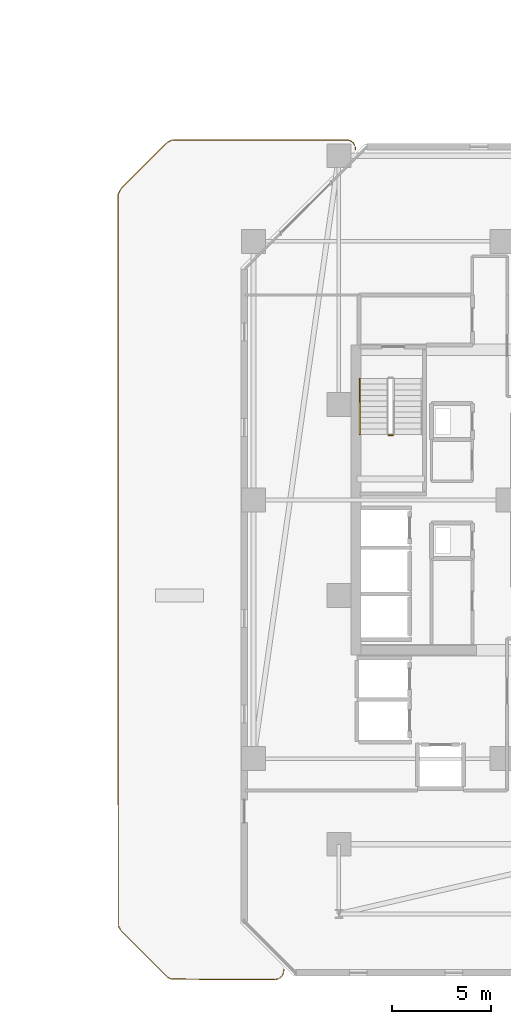
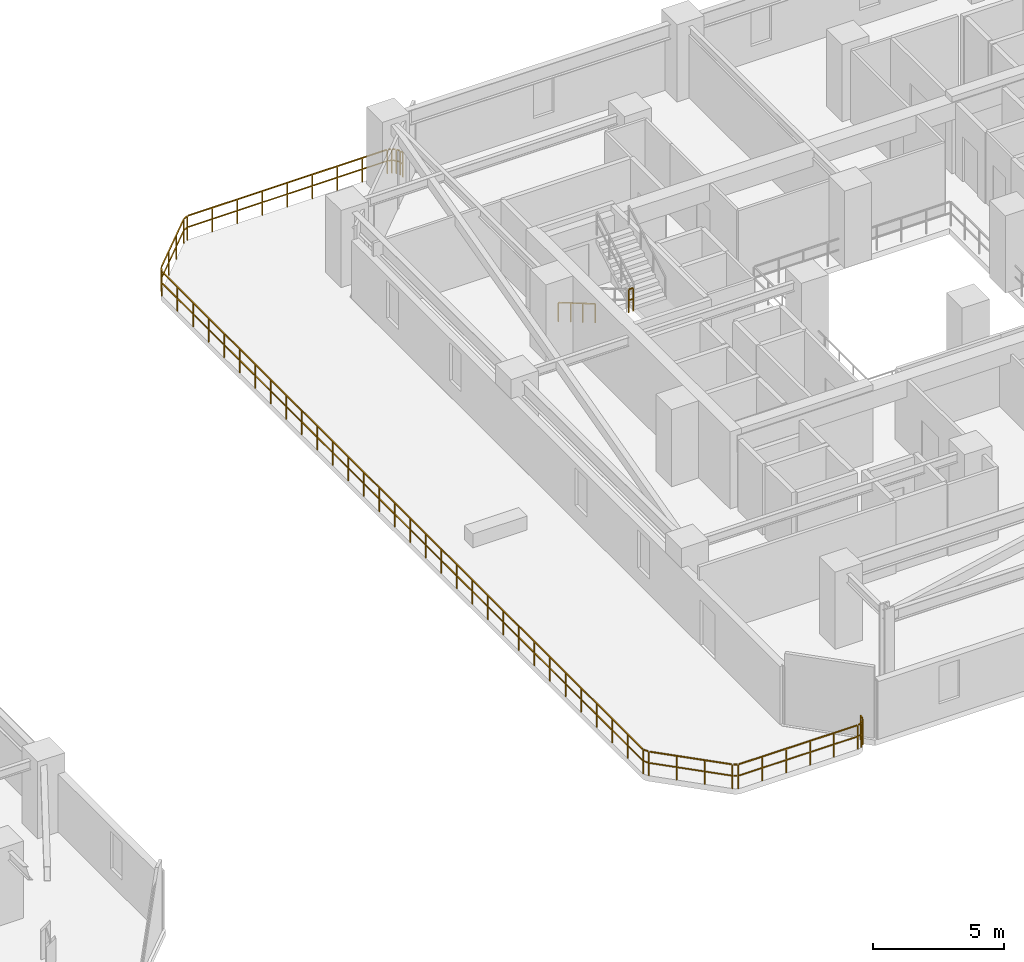
# One storey, part 30 of 31: 3 railings.
"""IFC4 building model written with IfcOpenShell, lengths in metres."""

from ifc_helpers import new_model, si_unit, direction, frame, origin, origin_2d, place, context, subcontext, project, spatial, rectangle, extrude, material, type_object, element, save


model = new_model("IFC4")

# Units and contexts
model_context = context("Model", 3, precision=1e-05, world=origin(), true_north=direction((0.0, 1.0)))
body_context = subcontext(model_context, "Body", "Model", "MODEL_VIEW")
ifc_project = project(units=[si_unit("LENGTHUNIT", "METRE"), si_unit("AREAUNIT", "SQUARE_METRE"), si_unit("VOLUMEUNIT", "CUBIC_METRE"), si_unit("PLANEANGLEUNIT", "RADIAN"), si_unit("MASSUNIT", "GRAM", prefix="KILO")], contexts=[model_context])

# Site, building, storey
site_placement = place(None, origin())
site = spatial("IfcSite", under=ifc_project, at=site_placement, CompositionType="ELEMENT")
building_placement = place(site_placement, origin())
building = spatial("IfcBuilding", under=site, at=building_placement, Name="Thornwick Lancets Civic Towers", CompositionType="ELEMENT")
storey_placement = place(building_placement, frame((0.0, 0.0, 119.699951171875)))
storey = spatial("IfcBuildingStorey", under=building, at=storey_placement, Name="L31", CompositionType="ELEMENT", Elevation=119.699951171875)

# Railings
ifc_material_1 = material(Name="Brushed stainless steel S355", Category="steel")
railing_type_1 = type_object("IfcRailingType", Name="RAIL_HANDRAIL", PredefinedType="HANDRAIL", material=ifc_material_1)
railing_1_placement = place(storey_placement, frame((76.550048828125, 33.10009765625, 0.16357421875)))
element("IfcRailing", 1, at=railing_1_placement, inside=storey, type_object=railing_type_1, Name="L31 ST-B2 stair handrail 1", PredefinedType="HANDRAIL", context=body_context, shape_type="SweptSolid", body=[
    extrude(rectangle(XDim=0.048095703125, YDim=0.048095703125, at=origin_2d()), frame((0.0, 0.0, 0.8857421875), z_axis=(0.0, -0.863360870873, 0.504586966384), x_axis=(1.0, 0.0, 0.0)), (0.0, 0.0, 1.0), 3.2431640625),
    extrude(rectangle(XDim=0.0419921875, YDim=0.0419921875, at=origin_2d()), origin(), (0.0, 0.0, 1.0), 0.855712890625),
    extrude(rectangle(XDim=0.0419921875, YDim=0.0419921875, at=origin_2d()), frame((0.0, -0.933349609375, 0.54541015625)), (0.0, 0.0, 1.0), 0.855712890625),
    extrude(rectangle(XDim=0.0419921875, YDim=0.0419921875, at=origin_2d()), frame((0.0, -1.86669921875, 1.091064453125)), (0.0, 0.0, 1.0), 0.855712890625),
    extrude(rectangle(XDim=0.0419921875, YDim=0.0419921875, at=origin_2d()), frame((0.0, -2.800048828125, 1.636474609375)), (0.0, 0.0, 1.0), 0.855712890625),
])
ifc_material_2 = material(Name="Steel S355JR", Category="steel")
railing_type_2 = type_object("IfcRailingType", Name="RAIL_STAIR_GUARD", PredefinedType="GUARDRAIL", material=ifc_material_2)
railing_2_placement = place(storey_placement, frame((78.0, 30.25, 1.800048828125)))
element("IfcRailing", 2, at=railing_2_placement, inside=storey, type_object=railing_type_2, Name="L31 ST-B2 stair guard 2", PredefinedType="GUARDRAIL", context=body_context, shape_type="SweptSolid", body=[
    extrude(rectangle(XDim=0.048095703125, YDim=0.048095703125, at=origin_2d()), frame((0.0, 0.0, 1.076171875), z_axis=(1.0, 0.0, 0.0), x_axis=(0.0, 1.0, 0.0)), (0.0, 0.0, 1.0), 0.199951171875),
    extrude(rectangle(XDim=0.0419921875, YDim=0.0419921875, at=origin_2d()), frame((0.03759765625, 0.0, 0.572021484375), z_axis=(1.0, 0.0, 0.0), x_axis=(0.0, 1.0, 0.0)), (0.0, 0.0, 1.0), 0.125),
    extrude(rectangle(XDim=0.0419921875, YDim=0.0419921875, at=origin_2d()), origin(), (0.0, 0.0, 1.0), 1.0458984375),
    extrude(rectangle(XDim=0.0419921875, YDim=0.0419921875, at=origin_2d()), frame((0.199951171875, 0.0, 0.0)), (0.0, 0.0, 1.0), 1.0458984375),
])
ifc_material_3 = material(Name="Terracotta-capped laminated glass balustrade S355", Category="masonry")
railing_type_3 = type_object("IfcRailingType", Name="RAIL_TERR_GUARD", PredefinedType="GUARDRAIL", material=ifc_material_3)
railing_3_placement = place(storey_placement, frame((72.732666015625, 3.397705078125, 0.0)))
element("IfcRailing", 3, at=railing_3_placement, inside=storey, type_object=railing_type_3, Name="L31 Tower B Sky-Garden Guard 1", PredefinedType="GUARDRAIL", context=body_context, shape_type="SweptSolid", body=[
    extrude(rectangle(XDim=0.048095703125, YDim=0.048095703125, at=origin_2d()), frame((0.0, 0.0, 1.1259765625), z_axis=(-0.094101126617, -0.99556264392, 0.0), x_axis=(0.99556264392, -0.094101126617, 0.0)), (0.0, 0.0, 1.0), 0.147705078125),
    extrude(rectangle(XDim=0.0419921875, YDim=0.0419921875, at=origin_2d()), frame((-0.00341796875, -0.037353515625, 0.597900390625), z_axis=(-0.094101126617, -0.99556264392, 0.0), x_axis=(0.99556264392, -0.094101126617, 0.0)), (0.0, 0.0, 1.0), 0.10400390625),
    extrude(rectangle(XDim=0.048095703125, YDim=0.048095703125, at=origin_2d()), frame((-0.031494140625, -0.205810546875, 1.1259765625), z_axis=(-0.469866553184, -0.882737459384, 0.0), x_axis=(0.882737459384, -0.469866553184, 0.0)), (0.0, 0.0, 1.0), 0.113037109375),
    extrude(rectangle(XDim=0.0419921875, YDim=0.0419921875, at=origin_2d()), frame((-0.034423828125, -0.21142578125, 0.597900390625), z_axis=(-0.469866553184, -0.882737459384, 0.0), x_axis=(0.882737459384, -0.469866553184, 0.0)), (0.0, 0.0, 1.0), 0.1005859375),
    extrude(rectangle(XDim=0.048095703125, YDim=0.048095703125, at=origin_2d()), frame((-0.12353515625, -0.35302734375, 1.1259765625), z_axis=(-0.773771583857, -0.63346470779, 0.0), x_axis=(0.63346470779, -0.773771583857, 0.0)), (0.0, 0.0, 1.0), 0.11328125),
    extrude(rectangle(XDim=0.0419921875, YDim=0.0419921875, at=origin_2d()), frame((-0.12841796875, -0.35693359375, 0.597900390625), z_axis=(-0.773771583857, -0.63346470779, 0.0), x_axis=(0.63346470779, -0.773771583857, 0.0)), (0.0, 0.0, 1.0), 0.100830078125),
    extrude(rectangle(XDim=0.048095703125, YDim=0.048095703125, at=origin_2d()), frame((-0.265380859375, -0.45361328125, 1.1259765625), z_axis=(-0.956825336025, -0.290663510508, 0.0), x_axis=(0.290663510508, -0.956825336025, 0.0)), (0.0, 0.0, 1.0), 0.113037109375),
    extrude(rectangle(XDim=0.0419921875, YDim=0.0419921875, at=origin_2d()), frame((-0.271240234375, -0.45556640625, 0.597900390625), z_axis=(-0.956825336025, -0.290663510508, 0.0), x_axis=(0.290663510508, -0.956825336025, 0.0)), (0.0, 0.0, 1.0), 0.1005859375),
    extrude(rectangle(XDim=0.048095703125, YDim=0.048095703125, at=origin_2d()), frame((-0.4345703125, -0.49560546875, 1.1259765625), z_axis=(-0.999994597738, 0.00328701928, 0.0), x_axis=(-0.00328701928, -0.999994597738, 0.0)), (0.0, 0.0, 1.0), 5.2109375),
    extrude(rectangle(XDim=0.0419921875, YDim=0.0419921875, at=origin_2d()), frame((-0.44091796875, -0.495361328125, 0.597900390625), z_axis=(-0.999994597738, 0.00328701928, 0.0), x_axis=(-0.00328701928, -0.999994597738, 0.0)), (0.0, 0.0, 1.0), 0.979736328125),
    extrude(rectangle(XDim=0.0419921875, YDim=0.0419921875, at=origin_2d()), frame((-1.49560546875, -0.491943359375, 0.597900390625), z_axis=(-0.999994597738, 0.00328701928, 0.0), x_axis=(-0.00328701928, -0.999994597738, 0.0)), (0.0, 0.0, 1.0), 0.979736328125),
    extrude(rectangle(XDim=0.0419921875, YDim=0.0419921875, at=origin_2d()), frame((-2.55029296875, -0.488525390625, 0.597900390625), z_axis=(-0.999994597738, 0.00328701928, 0.0), x_axis=(-0.00328701928, -0.999994597738, 0.0)), (0.0, 0.0, 1.0), 0.979736328125),
    extrude(rectangle(XDim=0.0419921875, YDim=0.0419921875, at=origin_2d()), frame((-3.60498046875, -0.485107421875, 0.597900390625), z_axis=(-0.999994597738, 0.00328701928, 0.0), x_axis=(-0.00328701928, -0.999994597738, 0.0)), (0.0, 0.0, 1.0), 0.979736328125),
    extrude(rectangle(XDim=0.0419921875, YDim=0.0419921875, at=origin_2d()), frame((-4.65966796875, -0.481689453125, 0.597900390625), z_axis=(-0.999994597738, 0.00328701928, 0.0), x_axis=(-0.00328701928, -0.999994597738, 0.0)), (0.0, 0.0, 1.0), 0.979736328125),
    extrude(rectangle(XDim=0.048095703125, YDim=0.048095703125, at=origin_2d()), frame((-5.70361328125, -0.462158203125, 1.1259765625), z_axis=(-0.858181432178, 0.513346500392, 0.0), x_axis=(-0.513346500392, -0.858181432178, 0.0)), (0.0, 0.0, 1.0), 0.15625),
    extrude(rectangle(XDim=0.0419921875, YDim=0.0419921875, at=origin_2d()), frame((-5.708984375, -0.458984375, 0.597900390625), z_axis=(-0.858181432178, 0.513346500392, 0.0), x_axis=(-0.513346500392, -0.858181432178, 0.0)), (0.0, 0.0, 1.0), 0.143798828125),
    extrude(rectangle(XDim=0.048095703125, YDim=0.048095703125, at=origin_2d()), frame((-5.88671875, -0.34375, 1.1259765625), z_axis=(-0.707106781187, 0.707106781187, 0.0), x_axis=(-0.707106781187, -0.707106781187, 0.0)), (0.0, 0.0, 1.0), 3.24169921875),
    extrude(rectangle(XDim=0.0419921875, YDim=0.0419921875, at=origin_2d()), frame((-5.89111328125, -0.33935546875, 0.597900390625), z_axis=(-0.707106781187, 0.707106781187, 0.0), x_axis=(-0.707106781187, -0.707106781187, 0.0)), (0.0, 0.0, 1.0), 1.0263671875),
    extrude(rectangle(XDim=0.0419921875, YDim=0.0419921875, at=origin_2d()), frame((-6.669921875, 0.439453125, 0.597900390625), z_axis=(-0.707106781187, 0.707106781187, 0.0), x_axis=(-0.707106781187, -0.707106781187, 0.0)), (0.0, 0.0, 1.0), 1.0263671875),
    extrude(rectangle(XDim=0.0419921875, YDim=0.0419921875, at=origin_2d()), frame((-7.44873046875, 1.21826171875, 0.597900390625), z_axis=(-0.707106781187, 0.707106781187, 0.0), x_axis=(-0.707106781187, -0.707106781187, 0.0)), (0.0, 0.0, 1.0), 1.0263671875),
    extrude(rectangle(XDim=0.048095703125, YDim=0.048095703125, at=origin_2d()), frame((-8.215576171875, 1.998046875, 1.1259765625), z_axis=(-0.470976207759, 0.882145912945, 0.0), x_axis=(-0.882145912945, -0.470976207759, 0.0)), (0.0, 0.0, 1.0), 0.19873046875),
    extrude(rectangle(XDim=0.0419921875, YDim=0.0419921875, at=origin_2d()), frame((-8.218505859375, 2.00341796875, 0.597900390625), z_axis=(-0.470976207759, 0.882145912945, 0.0), x_axis=(-0.882145912945, -0.470976207759, 0.0)), (0.0, 0.0, 1.0), 0.186279296875),
    extrude(rectangle(XDim=0.048095703125, YDim=0.048095703125, at=origin_2d()), frame((-8.323974609375, 2.232177734375, 1.1259765625), z_axis=(-0.000179324541, 0.999999983921, 0.0), x_axis=(-0.999999983921, -0.000179324541, 0.0)), (0.0, 0.0, 1.0), 36.696533203125),
    extrude(rectangle(XDim=0.0419921875, YDim=0.0419921875, at=origin_2d()), frame((-8.323974609375, 2.238525390625, 0.597900390625), z_axis=(-0.000179324541, 0.999999983921, 0.0), x_axis=(-0.999999983921, -0.000179324541, 0.0)), (0.0, 0.0, 1.0), 1.11083984375),
    extrude(rectangle(XDim=0.0419921875, YDim=0.0419921875, at=origin_2d()), frame((-8.32421875, 3.42431640625, 0.597900390625), z_axis=(-0.000179324541, 0.999999983921, 0.0), x_axis=(-0.999999983921, -0.000179324541, 0.0)), (0.0, 0.0, 1.0), 1.11083984375),
    extrude(rectangle(XDim=0.0419921875, YDim=0.0419921875, at=origin_2d()), frame((-8.324462890625, 4.60986328125, 0.597900390625), z_axis=(-0.000179324541, 0.999999983921, 0.0), x_axis=(-0.999999983921, -0.000179324541, 0.0)), (0.0, 0.0, 1.0), 1.11083984375),
    extrude(rectangle(XDim=0.0419921875, YDim=0.0419921875, at=origin_2d()), frame((-8.32470703125, 5.795654296875, 0.597900390625), z_axis=(-0.000179324541, 0.999999983921, 0.0), x_axis=(-0.999999983921, -0.000179324541, 0.0)), (0.0, 0.0, 1.0), 1.11083984375),
    extrude(rectangle(XDim=0.0419921875, YDim=0.0419921875, at=origin_2d()), frame((-8.324951171875, 6.9814453125, 0.597900390625), z_axis=(-0.000179324541, 0.999999983921, 0.0), x_axis=(-0.999999983921, -0.000179324541, 0.0)), (0.0, 0.0, 1.0), 1.11083984375),
    extrude(rectangle(XDim=0.0419921875, YDim=0.0419921875, at=origin_2d()), frame((-8.324951171875, 8.167236328125, 0.597900390625), z_axis=(-0.000179324541, 0.999999983921, 0.0), x_axis=(-0.999999983921, -0.000179324541, 0.0)), (0.0, 0.0, 1.0), 1.11083984375),
    extrude(rectangle(XDim=0.0419921875, YDim=0.0419921875, at=origin_2d()), frame((-8.3251953125, 9.35302734375, 0.597900390625), z_axis=(-0.000179324541, 0.999999983921, 0.0), x_axis=(-0.999999983921, -0.000179324541, 0.0)), (0.0, 0.0, 1.0), 1.11083984375),
    extrude(rectangle(XDim=0.0419921875, YDim=0.0419921875, at=origin_2d()), frame((-8.325439453125, 10.538818359375, 0.597900390625), z_axis=(-0.000179324541, 0.999999983921, 0.0), x_axis=(-0.999999983921, -0.000179324541, 0.0)), (0.0, 0.0, 1.0), 1.11083984375),
    extrude(rectangle(XDim=0.0419921875, YDim=0.0419921875, at=origin_2d()), frame((-8.32568359375, 11.724609375, 0.597900390625), z_axis=(-0.000179324541, 0.999999983921, 0.0), x_axis=(-0.999999983921, -0.000179324541, 0.0)), (0.0, 0.0, 1.0), 1.11083984375),
    extrude(rectangle(XDim=0.0419921875, YDim=0.0419921875, at=origin_2d()), frame((-8.325927734375, 12.910400390625, 0.597900390625), z_axis=(-0.000179324541, 0.999999983921, 0.0), x_axis=(-0.999999983921, -0.000179324541, 0.0)), (0.0, 0.0, 1.0), 1.11083984375),
    extrude(rectangle(XDim=0.0419921875, YDim=0.0419921875, at=origin_2d()), frame((-8.326171875, 14.09619140625, 0.597900390625), z_axis=(-0.000179324541, 0.999999983921, 0.0), x_axis=(-0.999999983921, -0.000179324541, 0.0)), (0.0, 0.0, 1.0), 1.11083984375),
    extrude(rectangle(XDim=0.0419921875, YDim=0.0419921875, at=origin_2d()), frame((-8.326416015625, 15.281982421875, 0.597900390625), z_axis=(-0.000179324541, 0.999999983921, 0.0), x_axis=(-0.999999983921, -0.000179324541, 0.0)), (0.0, 0.0, 1.0), 1.11083984375),
    extrude(rectangle(XDim=0.0419921875, YDim=0.0419921875, at=origin_2d()), frame((-8.326416015625, 16.4677734375, 0.597900390625), z_axis=(-0.000179324541, 0.999999983921, 0.0), x_axis=(-0.999999983921, -0.000179324541, 0.0)), (0.0, 0.0, 1.0), 1.11083984375),
    extrude(rectangle(XDim=0.0419921875, YDim=0.0419921875, at=origin_2d()), frame((-8.32666015625, 17.653564453125, 0.597900390625), z_axis=(-0.000179324541, 0.999999983921, 0.0), x_axis=(-0.999999983921, -0.000179324541, 0.0)), (0.0, 0.0, 1.0), 1.11083984375),
    extrude(rectangle(XDim=0.0419921875, YDim=0.0419921875, at=origin_2d()), frame((-8.326904296875, 18.83935546875, 0.597900390625), z_axis=(-0.000179324541, 0.999999983921, 0.0), x_axis=(-0.999999983921, -0.000179324541, 0.0)), (0.0, 0.0, 1.0), 1.11083984375),
    extrude(rectangle(XDim=0.0419921875, YDim=0.0419921875, at=origin_2d()), frame((-8.3271484375, 20.025146484375, 0.597900390625), z_axis=(-0.000179324541, 0.999999983921, 0.0), x_axis=(-0.999999983921, -0.000179324541, 0.0)), (0.0, 0.0, 1.0), 1.11083984375),
    extrude(rectangle(XDim=0.0419921875, YDim=0.0419921875, at=origin_2d()), frame((-8.327392578125, 21.2109375, 0.597900390625), z_axis=(-0.000179324541, 0.999999983921, 0.0), x_axis=(-0.999999983921, -0.000179324541, 0.0)), (0.0, 0.0, 1.0), 1.11083984375),
    extrude(rectangle(XDim=0.0419921875, YDim=0.0419921875, at=origin_2d()), frame((-8.32763671875, 22.396484375, 0.597900390625), z_axis=(-0.000179324541, 0.999999983921, 0.0), x_axis=(-0.999999983921, -0.000179324541, 0.0)), (0.0, 0.0, 1.0), 1.11083984375),
    extrude(rectangle(XDim=0.0419921875, YDim=0.0419921875, at=origin_2d()), frame((-8.327880859375, 23.582275390625, 0.597900390625), z_axis=(-0.000179324541, 0.999999983921, 0.0), x_axis=(-0.999999983921, -0.000179324541, 0.0)), (0.0, 0.0, 1.0), 1.11083984375),
    extrude(rectangle(XDim=0.0419921875, YDim=0.0419921875, at=origin_2d()), frame((-8.328125, 24.76806640625, 0.597900390625), z_axis=(-0.000179324541, 0.999999983921, 0.0), x_axis=(-0.999999983921, -0.000179324541, 0.0)), (0.0, 0.0, 1.0), 1.11083984375),
    extrude(rectangle(XDim=0.0419921875, YDim=0.0419921875, at=origin_2d()), frame((-8.328125, 25.953857421875, 0.597900390625), z_axis=(-0.000179324541, 0.999999983921, 0.0), x_axis=(-0.999999983921, -0.000179324541, 0.0)), (0.0, 0.0, 1.0), 1.11083984375),
    extrude(rectangle(XDim=0.0419921875, YDim=0.0419921875, at=origin_2d()), frame((-8.328369140625, 27.1396484375, 0.597900390625), z_axis=(-0.000179324541, 0.999999983921, 0.0), x_axis=(-0.999999983921, -0.000179324541, 0.0)), (0.0, 0.0, 1.0), 1.11083984375),
    extrude(rectangle(XDim=0.0419921875, YDim=0.0419921875, at=origin_2d()), frame((-8.32861328125, 28.325439453125, 0.597900390625), z_axis=(-0.000179324541, 0.999999983921, 0.0), x_axis=(-0.999999983921, -0.000179324541, 0.0)), (0.0, 0.0, 1.0), 1.11083984375),
    extrude(rectangle(XDim=0.0419921875, YDim=0.0419921875, at=origin_2d()), frame((-8.328857421875, 29.51123046875, 0.597900390625), z_axis=(-0.000179324541, 0.999999983921, 0.0), x_axis=(-0.999999983921, -0.000179324541, 0.0)), (0.0, 0.0, 1.0), 1.11083984375),
    extrude(rectangle(XDim=0.0419921875, YDim=0.0419921875, at=origin_2d()), frame((-8.3291015625, 30.697021484375, 0.597900390625), z_axis=(-0.000179324541, 0.999999983921, 0.0), x_axis=(-0.999999983921, -0.000179324541, 0.0)), (0.0, 0.0, 1.0), 1.11083984375),
    extrude(rectangle(XDim=0.0419921875, YDim=0.0419921875, at=origin_2d()), frame((-8.329345703125, 31.8828125, 0.597900390625), z_axis=(-0.000179324541, 0.999999983921, 0.0), x_axis=(-0.999999983921, -0.000179324541, 0.0)), (0.0, 0.0, 1.0), 1.11083984375),
    extrude(rectangle(XDim=0.0419921875, YDim=0.0419921875, at=origin_2d()), frame((-8.32958984375, 33.068603515625, 0.597900390625), z_axis=(-0.000179324541, 0.999999983921, 0.0), x_axis=(-0.999999983921, -0.000179324541, 0.0)), (0.0, 0.0, 1.0), 1.11083984375),
    extrude(rectangle(XDim=0.0419921875, YDim=0.0419921875, at=origin_2d()), frame((-8.329833984375, 34.25439453125, 0.597900390625), z_axis=(-0.000179324541, 0.999999983921, 0.0), x_axis=(-0.999999983921, -0.000179324541, 0.0)), (0.0, 0.0, 1.0), 1.11083984375),
    extrude(rectangle(XDim=0.0419921875, YDim=0.0419921875, at=origin_2d()), frame((-8.329833984375, 35.440185546875, 0.597900390625), z_axis=(-0.000179324541, 0.999999983921, 0.0), x_axis=(-0.999999983921, -0.000179324541, 0.0)), (0.0, 0.0, 1.0), 1.11083984375),
    extrude(rectangle(XDim=0.0419921875, YDim=0.0419921875, at=origin_2d()), frame((-8.330078125, 36.6259765625, 0.597900390625), z_axis=(-0.000179324541, 0.999999983921, 0.0), x_axis=(-0.999999983921, -0.000179324541, 0.0)), (0.0, 0.0, 1.0), 1.11083984375),
    extrude(rectangle(XDim=0.0419921875, YDim=0.0419921875, at=origin_2d()), frame((-8.330322265625, 37.811767578125, 0.597900390625), z_axis=(-0.000179324541, 0.999999983921, 0.0), x_axis=(-0.999999983921, -0.000179324541, 0.0)), (0.0, 0.0, 1.0), 1.11083984375),
    extrude(rectangle(XDim=0.048095703125, YDim=0.048095703125, at=origin_2d()), frame((-8.317138671875, 38.98828125, 1.1259765625), z_axis=(0.427463357578, 0.904032675255, 0.0), x_axis=(-0.904032675255, 0.427463357578, 0.0)), (0.0, 0.0, 1.0), 0.24072265625),
    extrude(rectangle(XDim=0.0419921875, YDim=0.0419921875, at=origin_2d()), frame((-8.314453125, 38.993896484375, 0.597900390625), z_axis=(0.427463357578, 0.904032675255, 0.0), x_axis=(-0.904032675255, 0.427463357578, 0.0)), (0.0, 0.0, 1.0), 0.228271484375),
    extrude(rectangle(XDim=0.048095703125, YDim=0.048095703125, at=origin_2d()), frame((-8.1787109375, 39.25634765625, 1.1259765625), z_axis=(0.707106781187, 0.707106781187, 0.0), x_axis=(-0.707106781187, 0.707106781187, 0.0)), (0.0, 0.0, 1.0), 3.24169921875),
    extrude(rectangle(XDim=0.0419921875, YDim=0.0419921875, at=origin_2d()), frame((-8.17431640625, 39.2607421875, 0.597900390625), z_axis=(0.707106781187, 0.707106781187, 0.0), x_axis=(-0.707106781187, 0.707106781187, 0.0)), (0.0, 0.0, 1.0), 1.0263671875),
    extrude(rectangle(XDim=0.0419921875, YDim=0.0419921875, at=origin_2d()), frame((-7.3955078125, 40.03955078125, 0.597900390625), z_axis=(0.707106781187, 0.707106781187, 0.0), x_axis=(-0.707106781187, 0.707106781187, 0.0)), (0.0, 0.0, 1.0), 1.0263671875),
    extrude(rectangle(XDim=0.0419921875, YDim=0.0419921875, at=origin_2d()), frame((-6.61669921875, 40.818359375, 0.597900390625), z_axis=(0.707106781187, 0.707106781187, 0.0), x_axis=(-0.707106781187, 0.707106781187, 0.0)), (0.0, 0.0, 1.0), 1.0263671875),
    extrude(rectangle(XDim=0.048095703125, YDim=0.048095703125, at=origin_2d()), frame((-5.8369140625, 41.585205078125, 1.1259765625), z_axis=(0.882145912945, 0.470976207759, 0.0), x_axis=(-0.470976207759, 0.882145912945, 0.0)), (0.0, 0.0, 1.0), 0.19873046875),
    extrude(rectangle(XDim=0.0419921875, YDim=0.0419921875, at=origin_2d()), frame((-5.83154296875, 41.588134765625, 0.597900390625), z_axis=(0.882145912945, 0.470976207759, 0.0), x_axis=(-0.470976207759, 0.882145912945, 0.0)), (0.0, 0.0, 1.0), 0.186279296875),
    extrude(rectangle(XDim=0.048095703125, YDim=0.048095703125, at=origin_2d()), frame((-5.602783203125, 41.693603515625, 1.1259765625), z_axis=(0.999999721403, 0.000746454134, 0.0), x_axis=(-0.000746454134, 0.999999721403, 0.0)), (0.0, 0.0, 1.0), 8.768310546875),
    extrude(rectangle(XDim=0.0419921875, YDim=0.0419921875, at=origin_2d()), frame((-5.596435546875, 41.693603515625, 0.597900390625), z_axis=(0.999999721403, 0.000746454134, 0.0), x_axis=(-0.000746454134, 0.999999721403, 0.0)), (0.0, 0.0, 1.0), 1.02880859375),
    extrude(rectangle(XDim=0.0419921875, YDim=0.0419921875, at=origin_2d()), frame((-4.49267578125, 41.6943359375, 0.597900390625), z_axis=(0.999999721403, 0.000746454134, 0.0), x_axis=(-0.000746454134, 0.999999721403, 0.0)), (0.0, 0.0, 1.0), 1.02880859375),
    extrude(rectangle(XDim=0.0419921875, YDim=0.0419921875, at=origin_2d()), frame((-3.388916015625, 41.6953125, 0.597900390625), z_axis=(0.999999721403, 0.000746454134, 0.0), x_axis=(-0.000746454134, 0.999999721403, 0.0)), (0.0, 0.0, 1.0), 1.02880859375),
    extrude(rectangle(XDim=0.0419921875, YDim=0.0419921875, at=origin_2d()), frame((-2.284912109375, 41.696044921875, 0.597900390625), z_axis=(0.999999721403, 0.000746454134, 0.0), x_axis=(-0.000746454134, 0.999999721403, 0.0)), (0.0, 0.0, 1.0), 1.02880859375),
    extrude(rectangle(XDim=0.0419921875, YDim=0.0419921875, at=origin_2d()), frame((-1.18115234375, 41.697021484375, 0.597900390625), z_axis=(0.999999721403, 0.000746454134, 0.0), x_axis=(-0.000746454134, 0.999999721403, 0.0)), (0.0, 0.0, 1.0), 1.02880859375),
    extrude(rectangle(XDim=0.0419921875, YDim=0.0419921875, at=origin_2d()), frame((-0.077392578125, 41.69775390625, 0.597900390625), z_axis=(0.999999721403, 0.000746454134, 0.0), x_axis=(-0.000746454134, 0.999999721403, 0.0)), (0.0, 0.0, 1.0), 1.02880859375),
    extrude(rectangle(XDim=0.0419921875, YDim=0.0419921875, at=origin_2d()), frame((1.026611328125, 41.698486328125, 0.597900390625), z_axis=(0.999999721403, 0.000746454134, 0.0), x_axis=(-0.000746454134, 0.999999721403, 0.0)), (0.0, 0.0, 1.0), 1.02880859375),
    extrude(rectangle(XDim=0.0419921875, YDim=0.0419921875, at=origin_2d()), frame((2.13037109375, 41.699462890625, 0.597900390625), z_axis=(0.999999721403, 0.000746454134, 0.0), x_axis=(-0.000746454134, 0.999999721403, 0.0)), (0.0, 0.0, 1.0), 1.02880859375),
    extrude(rectangle(XDim=0.048095703125, YDim=0.048095703125, at=origin_2d()), frame((3.226806640625, 41.691162109375, 1.1259765625), z_axis=(0.956825336025, -0.290663510508, 0.0), x_axis=(0.290663510508, 0.956825336025, 0.0)), (0.0, 0.0, 1.0), 0.113037109375),
    extrude(rectangle(XDim=0.0419921875, YDim=0.0419921875, at=origin_2d()), frame((3.232666015625, 41.689208984375, 0.597900390625), z_axis=(0.956825336025, -0.290663510508, 0.0), x_axis=(0.290663510508, 0.956825336025, 0.0)), (0.0, 0.0, 1.0), 0.1005859375),
    extrude(rectangle(XDim=0.048095703125, YDim=0.048095703125, at=origin_2d()), frame((3.388916015625, 41.62939453125, 1.1259765625), z_axis=(0.773213238462, -0.634146109242, 0.0), x_axis=(0.634146109242, 0.773213238462, 0.0)), (0.0, 0.0, 1.0), 0.113037109375),
    extrude(rectangle(XDim=0.0419921875, YDim=0.0419921875, at=origin_2d()), frame((3.393798828125, 41.62548828125, 0.597900390625), z_axis=(0.773213238462, -0.634146109242, 0.0), x_axis=(0.634146109242, 0.773213238462, 0.0)), (0.0, 0.0, 1.0), 0.1005859375),
    extrude(rectangle(XDim=0.048095703125, YDim=0.048095703125, at=origin_2d()), frame((3.51513671875, 41.51025390625, 1.1259765625), z_axis=(0.470948722639, -0.882160586654, 0.0), x_axis=(0.882160586654, 0.470948722639, 0.0)), (0.0, 0.0, 1.0), 0.11328125),
    extrude(rectangle(XDim=0.0419921875, YDim=0.0419921875, at=origin_2d()), frame((3.51806640625, 41.5048828125, 0.597900390625), z_axis=(0.470948722639, -0.882160586654, 0.0), x_axis=(0.882160586654, 0.470948722639, 0.0)), (0.0, 0.0, 1.0), 0.100830078125),
    extrude(rectangle(XDim=0.048095703125, YDim=0.048095703125, at=origin_2d()), frame((3.586181640625, 41.351806640625, 1.1259765625), z_axis=(0.094101126617, -0.99556264392, 0.0), x_axis=(0.99556264392, 0.094101126617, 0.0)), (0.0, 0.0, 1.0), 0.147705078125),
    extrude(rectangle(XDim=0.0419921875, YDim=0.0419921875, at=origin_2d()), frame((3.586669921875, 41.345458984375, 0.597900390625), z_axis=(0.094101126617, -0.99556264392, 0.0), x_axis=(0.99556264392, 0.094101126617, 0.0)), (0.0, 0.0, 1.0), 0.10400390625),
    extrude(rectangle(XDim=0.0419921875, YDim=0.0419921875, at=origin_2d()), origin(), (0.0, 0.0, 1.0), 1.095703125),
    extrude(rectangle(XDim=0.0419921875, YDim=0.0419921875, at=origin_2d()), frame((-0.016845703125, -0.17822265625, 0.0)), (0.0, 0.0, 1.0), 1.095703125),
    extrude(rectangle(XDim=0.0419921875, YDim=0.0419921875, at=origin_2d()), frame((-0.099365234375, -0.333251953125, 0.0)), (0.0, 0.0, 1.0), 1.095703125),
    extrude(rectangle(XDim=0.0419921875, YDim=0.0419921875, at=origin_2d()), frame((-0.2353515625, -0.444580078125, 0.0)), (0.0, 0.0, 1.0), 1.095703125),
    extrude(rectangle(XDim=0.0419921875, YDim=0.0419921875, at=origin_2d()), frame((-0.4033203125, -0.49560546875, 0.0)), (0.0, 0.0, 1.0), 1.095703125),
    extrude(rectangle(XDim=0.0419921875, YDim=0.0419921875, at=origin_2d()), frame((-1.4580078125, -0.4921875, 0.0)), (0.0, 0.0, 1.0), 1.095703125),
    extrude(rectangle(XDim=0.0419921875, YDim=0.0419921875, at=origin_2d()), frame((-2.5126953125, -0.48876953125, 0.0)), (0.0, 0.0, 1.0), 1.095703125),
    extrude(rectangle(XDim=0.0419921875, YDim=0.0419921875, at=origin_2d()), frame((-3.5673828125, -0.485107421875, 0.0)), (0.0, 0.0, 1.0), 1.095703125),
    extrude(rectangle(XDim=0.0419921875, YDim=0.0419921875, at=origin_2d()), frame((-4.6220703125, -0.481689453125, 0.0)), (0.0, 0.0, 1.0), 1.095703125),
    extrude(rectangle(XDim=0.0419921875, YDim=0.0419921875, at=origin_2d()), frame((-5.6767578125, -0.478271484375, 0.0)), (0.0, 0.0, 1.0), 1.095703125),
    extrude(rectangle(XDim=0.0419921875, YDim=0.0419921875, at=origin_2d()), frame((-5.864501953125, -0.365966796875, 0.0)), (0.0, 0.0, 1.0), 1.095703125),
    extrude(rectangle(XDim=0.0419921875, YDim=0.0419921875, at=origin_2d()), frame((-6.643310546875, 0.412841796875, 0.0)), (0.0, 0.0, 1.0), 1.095703125),
    extrude(rectangle(XDim=0.0419921875, YDim=0.0419921875, at=origin_2d()), frame((-7.422119140625, 1.191650390625, 0.0)), (0.0, 0.0, 1.0), 1.095703125),
    extrude(rectangle(XDim=0.0419921875, YDim=0.0419921875, at=origin_2d()), frame((-8.200927734375, 1.970458984375, 0.0)), (0.0, 0.0, 1.0), 1.095703125),
    extrude(rectangle(XDim=0.0419921875, YDim=0.0419921875, at=origin_2d()), frame((-8.323974609375, 2.200927734375, 0.0)), (0.0, 0.0, 1.0), 1.095703125),
    extrude(rectangle(XDim=0.0419921875, YDim=0.0419921875, at=origin_2d()), frame((-8.32421875, 3.38671875, 0.0)), (0.0, 0.0, 1.0), 1.095703125),
    extrude(rectangle(XDim=0.0419921875, YDim=0.0419921875, at=origin_2d()), frame((-8.324462890625, 4.572509765625, 0.0)), (0.0, 0.0, 1.0), 1.095703125),
    extrude(rectangle(XDim=0.0419921875, YDim=0.0419921875, at=origin_2d()), frame((-8.32470703125, 5.75830078125, 0.0)), (0.0, 0.0, 1.0), 1.095703125),
    extrude(rectangle(XDim=0.0419921875, YDim=0.0419921875, at=origin_2d()), frame((-8.32470703125, 6.944091796875, 0.0)), (0.0, 0.0, 1.0), 1.095703125),
    extrude(rectangle(XDim=0.0419921875, YDim=0.0419921875, at=origin_2d()), frame((-8.324951171875, 8.1298828125, 0.0)), (0.0, 0.0, 1.0), 1.095703125),
    extrude(rectangle(XDim=0.0419921875, YDim=0.0419921875, at=origin_2d()), frame((-8.3251953125, 9.315673828125, 0.0)), (0.0, 0.0, 1.0), 1.095703125),
    extrude(rectangle(XDim=0.0419921875, YDim=0.0419921875, at=origin_2d()), frame((-8.325439453125, 10.50146484375, 0.0)), (0.0, 0.0, 1.0), 1.095703125),
    extrude(rectangle(XDim=0.0419921875, YDim=0.0419921875, at=origin_2d()), frame((-8.32568359375, 11.68701171875, 0.0)), (0.0, 0.0, 1.0), 1.095703125),
    extrude(rectangle(XDim=0.0419921875, YDim=0.0419921875, at=origin_2d()), frame((-8.325927734375, 12.872802734375, 0.0)), (0.0, 0.0, 1.0), 1.095703125),
    extrude(rectangle(XDim=0.0419921875, YDim=0.0419921875, at=origin_2d()), frame((-8.326171875, 14.05859375, 0.0)), (0.0, 0.0, 1.0), 1.095703125),
    extrude(rectangle(XDim=0.0419921875, YDim=0.0419921875, at=origin_2d()), frame((-8.326416015625, 15.244384765625, 0.0)), (0.0, 0.0, 1.0), 1.095703125),
    extrude(rectangle(XDim=0.0419921875, YDim=0.0419921875, at=origin_2d()), frame((-8.326416015625, 16.43017578125, 0.0)), (0.0, 0.0, 1.0), 1.095703125),
    extrude(rectangle(XDim=0.0419921875, YDim=0.0419921875, at=origin_2d()), frame((-8.32666015625, 17.615966796875, 0.0)), (0.0, 0.0, 1.0), 1.095703125),
    extrude(rectangle(XDim=0.0419921875, YDim=0.0419921875, at=origin_2d()), frame((-8.326904296875, 18.8017578125, 0.0)), (0.0, 0.0, 1.0), 1.095703125),
    extrude(rectangle(XDim=0.0419921875, YDim=0.0419921875, at=origin_2d()), frame((-8.3271484375, 19.987548828125, 0.0)), (0.0, 0.0, 1.0), 1.095703125),
    extrude(rectangle(XDim=0.0419921875, YDim=0.0419921875, at=origin_2d()), frame((-8.327392578125, 21.17333984375, 0.0)), (0.0, 0.0, 1.0), 1.095703125),
    extrude(rectangle(XDim=0.0419921875, YDim=0.0419921875, at=origin_2d()), frame((-8.32763671875, 22.359130859375, 0.0)), (0.0, 0.0, 1.0), 1.095703125),
    extrude(rectangle(XDim=0.0419921875, YDim=0.0419921875, at=origin_2d()), frame((-8.327880859375, 23.544921875, 0.0)), (0.0, 0.0, 1.0), 1.095703125),
    extrude(rectangle(XDim=0.0419921875, YDim=0.0419921875, at=origin_2d()), frame((-8.328125, 24.730712890625, 0.0)), (0.0, 0.0, 1.0), 1.095703125),
    extrude(rectangle(XDim=0.0419921875, YDim=0.0419921875, at=origin_2d()), frame((-8.328125, 25.91650390625, 0.0)), (0.0, 0.0, 1.0), 1.095703125),
    extrude(rectangle(XDim=0.0419921875, YDim=0.0419921875, at=origin_2d()), frame((-8.328369140625, 27.102294921875, 0.0)), (0.0, 0.0, 1.0), 1.095703125),
    extrude(rectangle(XDim=0.0419921875, YDim=0.0419921875, at=origin_2d()), frame((-8.32861328125, 28.2880859375, 0.0)), (0.0, 0.0, 1.0), 1.095703125),
    extrude(rectangle(XDim=0.0419921875, YDim=0.0419921875, at=origin_2d()), frame((-8.328857421875, 29.473876953125, 0.0)), (0.0, 0.0, 1.0), 1.095703125),
    extrude(rectangle(XDim=0.0419921875, YDim=0.0419921875, at=origin_2d()), frame((-8.3291015625, 30.659423828125, 0.0)), (0.0, 0.0, 1.0), 1.095703125),
    extrude(rectangle(XDim=0.0419921875, YDim=0.0419921875, at=origin_2d()), frame((-8.329345703125, 31.84521484375, 0.0)), (0.0, 0.0, 1.0), 1.095703125),
    extrude(rectangle(XDim=0.0419921875, YDim=0.0419921875, at=origin_2d()), frame((-8.32958984375, 33.031005859375, 0.0)), (0.0, 0.0, 1.0), 1.095703125),
    extrude(rectangle(XDim=0.0419921875, YDim=0.0419921875, at=origin_2d()), frame((-8.329833984375, 34.216796875, 0.0)), (0.0, 0.0, 1.0), 1.095703125),
    extrude(rectangle(XDim=0.0419921875, YDim=0.0419921875, at=origin_2d()), frame((-8.329833984375, 35.402587890625, 0.0)), (0.0, 0.0, 1.0), 1.095703125),
    extrude(rectangle(XDim=0.0419921875, YDim=0.0419921875, at=origin_2d()), frame((-8.330078125, 36.58837890625, 0.0)), (0.0, 0.0, 1.0), 1.095703125),
    extrude(rectangle(XDim=0.0419921875, YDim=0.0419921875, at=origin_2d()), frame((-8.330322265625, 37.774169921875, 0.0)), (0.0, 0.0, 1.0), 1.095703125),
    extrude(rectangle(XDim=0.0419921875, YDim=0.0419921875, at=origin_2d()), frame((-8.33056640625, 38.9599609375, 0.0)), (0.0, 0.0, 1.0), 1.095703125),
    extrude(rectangle(XDim=0.0419921875, YDim=0.0419921875, at=origin_2d()), frame((-8.200927734375, 39.234130859375, 0.0)), (0.0, 0.0, 1.0), 1.095703125),
    extrude(rectangle(XDim=0.0419921875, YDim=0.0419921875, at=origin_2d()), frame((-7.422119140625, 40.012939453125, 0.0)), (0.0, 0.0, 1.0), 1.095703125),
    extrude(rectangle(XDim=0.0419921875, YDim=0.0419921875, at=origin_2d()), frame((-6.643310546875, 40.791748046875, 0.0)), (0.0, 0.0, 1.0), 1.095703125),
    extrude(rectangle(XDim=0.0419921875, YDim=0.0419921875, at=origin_2d()), frame((-5.864501953125, 41.570556640625, 0.0)), (0.0, 0.0, 1.0), 1.095703125),
    extrude(rectangle(XDim=0.0419921875, YDim=0.0419921875, at=origin_2d()), frame((-5.634033203125, 41.693603515625, 0.0)), (0.0, 0.0, 1.0), 1.095703125),
    extrude(rectangle(XDim=0.0419921875, YDim=0.0419921875, at=origin_2d()), frame((-4.5302734375, 41.6943359375, 0.0)), (0.0, 0.0, 1.0), 1.095703125),
    extrude(rectangle(XDim=0.0419921875, YDim=0.0419921875, at=origin_2d()), frame((-3.42626953125, 41.6953125, 0.0)), (0.0, 0.0, 1.0), 1.095703125),
    extrude(rectangle(XDim=0.0419921875, YDim=0.0419921875, at=origin_2d()), frame((-2.322509765625, 41.696044921875, 0.0)), (0.0, 0.0, 1.0), 1.095703125),
    extrude(rectangle(XDim=0.0419921875, YDim=0.0419921875, at=origin_2d()), frame((-1.21875, 41.69677734375, 0.0)), (0.0, 0.0, 1.0), 1.095703125),
    extrude(rectangle(XDim=0.0419921875, YDim=0.0419921875, at=origin_2d()), frame((-0.11474609375, 41.69775390625, 0.0)), (0.0, 0.0, 1.0), 1.095703125),
    extrude(rectangle(XDim=0.0419921875, YDim=0.0419921875, at=origin_2d()), frame((0.989013671875, 41.698486328125, 0.0)), (0.0, 0.0, 1.0), 1.095703125),
    extrude(rectangle(XDim=0.0419921875, YDim=0.0419921875, at=origin_2d()), frame((2.093017578125, 41.699462890625, 0.0)), (0.0, 0.0, 1.0), 1.095703125),
    extrude(rectangle(XDim=0.0419921875, YDim=0.0419921875, at=origin_2d()), frame((3.19677734375, 41.7001953125, 0.0)), (0.0, 0.0, 1.0), 1.095703125),
    extrude(rectangle(XDim=0.0419921875, YDim=0.0419921875, at=origin_2d()), frame((3.36474609375, 41.649169921875, 0.0)), (0.0, 0.0, 1.0), 1.095703125),
    extrude(rectangle(XDim=0.0419921875, YDim=0.0419921875, at=origin_2d()), frame((3.50048828125, 41.537841796875, 0.0)), (0.0, 0.0, 1.0), 1.095703125),
    extrude(rectangle(XDim=0.0419921875, YDim=0.0419921875, at=origin_2d()), frame((3.583251953125, 41.3828125, 0.0)), (0.0, 0.0, 1.0), 1.095703125),
    extrude(rectangle(XDim=0.0419921875, YDim=0.0419921875, at=origin_2d()), frame((3.60009765625, 41.20458984375, 0.0)), (0.0, 0.0, 1.0), 1.095703125),
])

save(model, "model.ifc")
